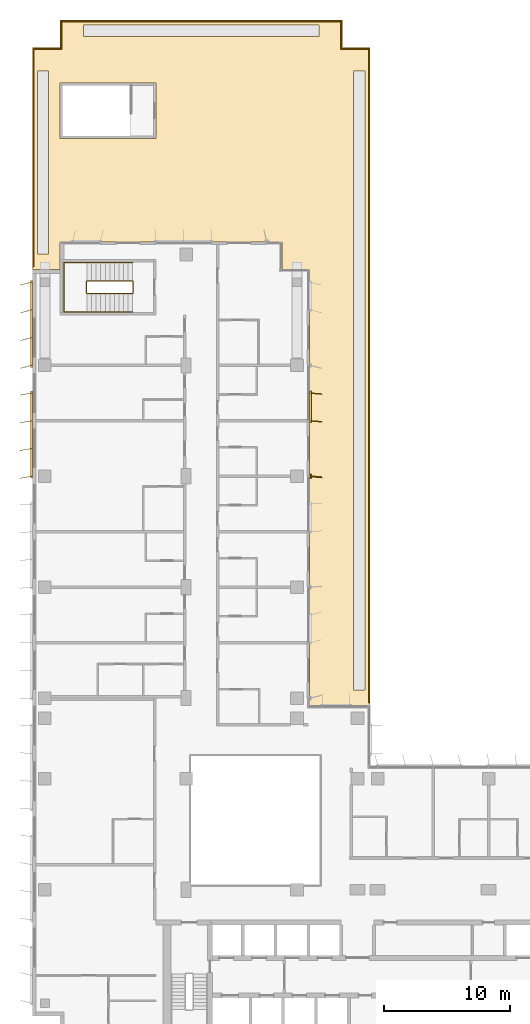
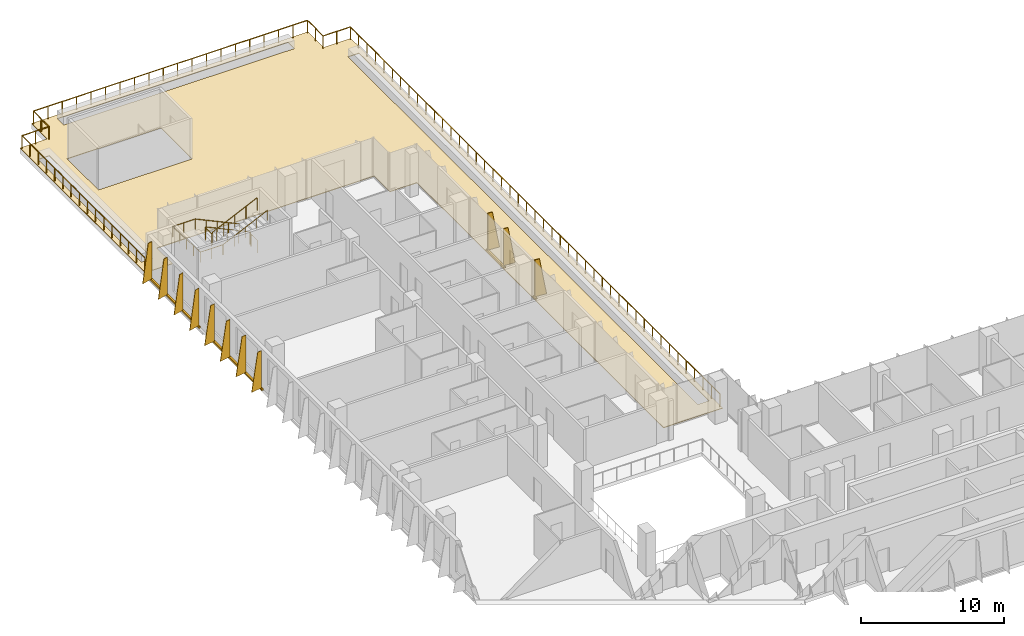
# One storey, part 21 of 22: 4 shading devices, 3 railings, 1 covering.
"""IFC4 building model written with IfcOpenShell, lengths in metres."""

from ifc_helpers import new_model, si_unit, direction, frame, origin, origin_2d, place, context, subcontext, project, spatial, polyline, rectangle, circle, outline, extrude, source, transform, mapped, material, layer, layer_set, type_object, element, save


model = new_model("IFC4")

# Units and contexts
model_context = context("Model", 3, precision=1e-05, world=origin(), true_north=direction((0.0, 1.0)))
body_context = subcontext(model_context, "Body", "Model", "MODEL_VIEW")
ifc_project = project(units=[si_unit("LENGTHUNIT", "METRE"), si_unit("AREAUNIT", "SQUARE_METRE"), si_unit("VOLUMEUNIT", "CUBIC_METRE"), si_unit("PLANEANGLEUNIT", "RADIAN"), si_unit("MASSUNIT", "GRAM", prefix="KILO")], contexts=[model_context])

# Site, building, storey
site_placement = place(None, origin())
site = spatial("IfcSite", under=ifc_project, at=site_placement, CompositionType="ELEMENT")
building_placement = place(site_placement, origin())
building = spatial("IfcBuilding", under=site, at=building_placement, Name="Kemantara Hotel Tower", CompositionType="ELEMENT")
storey_placement = place(building_placement, frame((0.0, 0.0, 153.10009765625)))
storey = spatial("IfcBuildingStorey", under=building, at=storey_placement, Name="L37", CompositionType="ELEMENT", Elevation=153.10009765625)

# Railings
ifc_material_1 = material(Name="Stainless steel balustrade", Category="steel")
railing_type_1 = type_object("IfcRailingType", Name="Stair guard 1100 mm", PredefinedType="GUARDRAIL", material=ifc_material_1)
railing_1_placement = place(storey_placement, frame((7.949951171875, 59.5, 3.699951171875)))
element("IfcRailing", 1, at=railing_1_placement, inside=storey, type_object=railing_type_1, Name="L37 ST4 stair guard 1", PredefinedType="GUARDRAIL", context=body_context, shape_type="SweptSolid", body=[
    extrude(circle(Radius=0.02392578125, at=origin_2d()), frame((0.0, 0.0, 1.076171875), z_axis=(-0.905994681025, 0.0, -0.423289071386), x_axis=(0.0, -1.0, 0.0)), (0.0, 0.0, 1.0), 3.973388671875),
    extrude(circle(Radius=0.02392578125, at=origin_2d()), frame((-3.599853515625, 0.0, -0.60595703125), z_axis=(-0.274243871929, 0.274243871929, -0.92172696468), x_axis=(-0.707106781187, -0.707106781187, 0.0)), (0.0, 0.0, 1.0), 0.1826171875),
    extrude(circle(Radius=0.02392578125, at=origin_2d()), frame((-3.64990234375, 0.050048828125, -0.77392578125), z_axis=(0.0, 1.0, 0.0), x_axis=(-1.0, 0.0, 0.0)), (0.0, 0.0, 1.0), 0.89990234375),
    extrude(circle(Radius=0.02392578125, at=origin_2d()), frame((-3.64990234375, 0.949951171875, -0.77392578125), z_axis=(0.707106781187, 0.707106781187, 0.0), x_axis=(-0.707106781187, 0.707106781187, 0.0)), (0.0, 0.0, 1.0), 0.07080078125),
    extrude(circle(Radius=0.02392578125, at=origin_2d()), frame((-3.599853515625, 1.0, -0.77392578125), z_axis=(0.905994681025, 0.0, -0.423289071386), x_axis=(0.0, 1.0, 0.0)), (0.0, 0.0, 1.0), 3.973388671875),
    extrude(circle(Radius=0.02392578125, at=origin_2d()), frame((0.0, 1.0, -2.4560546875), z_axis=(0.274582412415, -0.274582412415, -0.921525364591), x_axis=(0.707106781187, 0.707106781187, 0.0)), (0.0, 0.0, 1.0), 0.182373046875),
    extrude(circle(Radius=0.02392578125, at=origin_2d()), frame((0.050048828125, 0.949951171875, -2.6240234375), z_axis=(0.0, -1.0, 0.0), x_axis=(1.0, 0.0, 0.0)), (0.0, 0.0, 1.0), 0.89990234375),
    extrude(circle(Radius=0.02099609375, at=origin_2d()), origin(), (0.0, 0.0, 1.0), 1.052001953125),
    extrude(circle(Radius=0.02099609375, at=origin_2d()), frame((-0.89990234375, 0.0, -0.42041015625)), (0.0, 0.0, 1.0), 1.052001953125),
    extrude(circle(Radius=0.02099609375, at=origin_2d()), frame((-1.7998046875, 0.0, -0.8408203125)), (0.0, 0.0, 1.0), 1.052001953125),
    extrude(circle(Radius=0.02099609375, at=origin_2d()), frame((-2.699951171875, 0.0, -1.261474609375)), (0.0, 0.0, 1.0), 1.052001953125),
    extrude(circle(Radius=0.02099609375, at=origin_2d()), frame((-3.599853515625, 0.0, -1.681884765625)), (0.0, 0.0, 1.0), 1.052001953125),
    extrude(circle(Radius=0.02099609375, at=origin_2d()), frame((-3.64990234375, 0.050048828125, -1.85009765625)), (0.0, 0.0, 1.0), 1.052001953125),
    extrude(circle(Radius=0.02099609375, at=origin_2d()), frame((-3.64990234375, 0.949951171875, -1.85009765625)), (0.0, 0.0, 1.0), 1.052001953125),
    extrude(circle(Radius=0.02099609375, at=origin_2d()), frame((-3.599853515625, 1.0, -1.85009765625)), (0.0, 0.0, 1.0), 1.052001953125),
    extrude(circle(Radius=0.02099609375, at=origin_2d()), frame((-2.699951171875, 1.0, -2.2705078125)), (0.0, 0.0, 1.0), 1.052001953125),
    extrude(circle(Radius=0.02099609375, at=origin_2d()), frame((-1.7998046875, 1.0, -2.69091796875)), (0.0, 0.0, 1.0), 1.052001953125),
    extrude(circle(Radius=0.02099609375, at=origin_2d()), frame((-0.89990234375, 1.0, -3.111572265625)), (0.0, 0.0, 1.0), 1.052001953125),
    extrude(circle(Radius=0.02099609375, at=origin_2d()), frame((0.0, 1.0, -3.531982421875)), (0.0, 0.0, 1.0), 1.052001953125),
    extrude(circle(Radius=0.02099609375, at=origin_2d()), frame((0.050048828125, 0.949951171875, -3.699951171875)), (0.0, 0.0, 1.0), 1.052001953125),
    extrude(circle(Radius=0.02099609375, at=origin_2d()), frame((0.050048828125, 0.050048828125, -3.699951171875)), (0.0, 0.0, 1.0), 1.052001953125),
])
railing_type_2 = type_object("IfcRailingType", Name="Stair handrail 900 mm", PredefinedType="HANDRAIL", material=ifc_material_1)
railing_2_placement = place(storey_placement, frame((7.949951171875, 61.949951171875, 0.16796875)))
element("IfcRailing", 2, at=railing_2_placement, inside=storey, type_object=railing_type_2, Name="L37 ST4 stair handrail 1", PredefinedType="HANDRAIL", context=body_context, shape_type="SweptSolid", body=[
    extrude(circle(Radius=0.02392578125, at=origin_2d()), frame((0.0, 0.0, 0.8759765625), z_axis=(-0.905994681025, 0.0, 0.423289071386), x_axis=(0.0, -1.0, 0.0)), (0.0, 0.0, 1.0), 3.973388671875),
    extrude(circle(Radius=0.02392578125, at=origin_2d()), frame((-3.599853515625, 0.0, 2.5576171875), z_axis=(-1.0, 0.0, 0.0), x_axis=(0.0, -1.0, 0.0)), (0.0, 0.0, 1.0), 1.830078125),
    extrude(circle(Radius=0.02392578125, at=origin_2d()), frame((-5.429931640625, 0.0, 2.5576171875), z_axis=(0.0, -0.999071085748, 0.043092523981), x_axis=(1.0, 0.0, 0.0)), (0.0, 0.0, 1.0), 3.903564453125),
    extrude(circle(Radius=0.02392578125, at=origin_2d()), frame((-5.429931640625, -3.89990234375, 2.72607421875), z_axis=(1.0, 0.0, 0.0), x_axis=(0.0, 1.0, 0.0)), (0.0, 0.0, 1.0), 1.830078125),
    extrude(circle(Radius=0.02392578125, at=origin_2d()), frame((-3.599853515625, -3.89990234375, 2.72607421875), z_axis=(0.905994681025, 0.0, 0.423289071386), x_axis=(0.0, 1.0, 0.0)), (0.0, 0.0, 1.0), 3.973388671875),
    extrude(circle(Radius=0.02099609375, at=origin_2d()), origin(), (0.0, 0.0, 1.0), 0.851806640625),
    extrude(circle(Radius=0.02099609375, at=origin_2d()), frame((-0.89990234375, 0.0, 0.42041015625)), (0.0, 0.0, 1.0), 0.851806640625),
    extrude(circle(Radius=0.02099609375, at=origin_2d()), frame((-1.7998046875, 0.0, 0.8408203125)), (0.0, 0.0, 1.0), 0.851806640625),
    extrude(circle(Radius=0.02099609375, at=origin_2d()), frame((-2.699951171875, 0.0, 1.261474609375)), (0.0, 0.0, 1.0), 0.851806640625),
    extrude(circle(Radius=0.02099609375, at=origin_2d()), frame((-3.599853515625, 0.0, 1.681884765625)), (0.0, 0.0, 1.0), 0.851806640625),
    extrude(circle(Radius=0.02099609375, at=origin_2d()), frame((-4.514892578125, 0.0, 1.681884765625)), (0.0, 0.0, 1.0), 0.851806640625),
    extrude(circle(Radius=0.02099609375, at=origin_2d()), frame((-5.429931640625, 0.0, 1.681884765625)), (0.0, 0.0, 1.0), 0.851806640625),
    extrude(circle(Radius=0.02099609375, at=origin_2d()), frame((-5.429931640625, -0.97509765625, 1.723876953125)), (0.0, 0.0, 1.0), 0.851806640625),
    extrude(circle(Radius=0.02099609375, at=origin_2d()), frame((-5.429931640625, -1.949951171875, 1.76611328125)), (0.0, 0.0, 1.0), 0.851806640625),
    extrude(circle(Radius=0.02099609375, at=origin_2d()), frame((-5.429931640625, -2.9248046875, 1.80810546875)), (0.0, 0.0, 1.0), 0.851806640625),
    extrude(circle(Radius=0.02099609375, at=origin_2d()), frame((-5.429931640625, -3.89990234375, 1.85009765625)), (0.0, 0.0, 1.0), 0.851806640625),
    extrude(circle(Radius=0.02099609375, at=origin_2d()), frame((-4.514892578125, -3.89990234375, 1.85009765625)), (0.0, 0.0, 1.0), 0.851806640625),
    extrude(circle(Radius=0.02099609375, at=origin_2d()), frame((-3.599853515625, -3.89990234375, 1.85009765625)), (0.0, 0.0, 1.0), 0.851806640625),
    extrude(circle(Radius=0.02099609375, at=origin_2d()), frame((-2.699951171875, -3.89990234375, 2.2705078125)), (0.0, 0.0, 1.0), 0.851806640625),
    extrude(circle(Radius=0.02099609375, at=origin_2d()), frame((-1.7998046875, -3.89990234375, 2.69091796875)), (0.0, 0.0, 1.0), 0.851806640625),
    extrude(circle(Radius=0.02099609375, at=origin_2d()), frame((-0.89990234375, -3.89990234375, 3.111572265625)), (0.0, 0.0, 1.0), 0.851806640625),
    extrude(circle(Radius=0.02099609375, at=origin_2d()), frame((0.0, -3.89990234375, 3.531982421875)), (0.0, 0.0, 1.0), 0.851806640625),
])
ifc_material_2 = material(Name="Stainless steel 316 (EN 1.4401)", Category="steel")
railing_type_3 = type_object("IfcRailingType", Name="TERRACE GUARD, STAINLESS STEEL 1100", PredefinedType="GUARDRAIL", material=ifc_material_2)
railing_3_placement = place(storey_placement, frame((0.10009765625, 61.64990234375, 0.0)))
element("IfcRailing", 3, at=railing_3_placement, inside=storey, type_object=railing_type_3, Name="TERRACE GUARD TERRACE-S2-1", PredefinedType="GUARDRAIL", context=body_context, shape_type="SweptSolid", body=[
    extrude(circle(Radius=0.02490234375, at=origin_2d()), frame((0.0, 0.0, 1.0751953125), z_axis=(0.0, 1.0, 0.0), x_axis=(-1.0, 0.0, 0.0)), (0.0, 0.0, 1.0), 17.25),
    extrude(circle(Radius=0.02490234375, at=origin_2d()), frame((0.0, 17.25, 1.0751953125), z_axis=(1.0, 0.0, 0.0), x_axis=(0.0, 1.0, 0.0)), (0.0, 0.0, 1.0), 2.199951171875),
    extrude(circle(Radius=0.02490234375, at=origin_2d()), frame((2.199951171875, 17.25, 1.0751953125), z_axis=(0.0, 1.0, 0.0), x_axis=(-1.0, 0.0, 0.0)), (0.0, 0.0, 1.0), 2.2001953125),
    extrude(circle(Radius=0.02490234375, at=origin_2d()), frame((2.199951171875, 19.4501953125, 1.0751953125), z_axis=(1.0, 0.0, 0.0), x_axis=(0.0, 1.0, 0.0)), (0.0, 0.0, 1.0), 22.199951171875),
    extrude(circle(Radius=0.02490234375, at=origin_2d()), frame((24.39990234375, 19.4501953125, 1.0751953125), z_axis=(0.0, -1.0, 0.0), x_axis=(1.0, 0.0, 0.0)), (0.0, 0.0, 1.0), 2.2001953125),
    extrude(circle(Radius=0.02490234375, at=origin_2d()), frame((24.39990234375, 17.25, 1.0751953125), z_axis=(1.0, 0.0, 0.0), x_axis=(0.0, 1.0, 0.0)), (0.0, 0.0, 1.0), 2.199951171875),
    extrude(circle(Radius=0.02490234375, at=origin_2d()), frame((26.599853515625, 17.25, 1.0751953125), z_axis=(0.0, -1.0, 0.0), x_axis=(1.0, 0.0, 0.0)), (0.0, 0.0, 1.0), 51.849853515625),
    extrude(circle(Radius=0.02001953125, at=origin_2d()), origin(), (0.0, 0.0, 1.0), 1.050048828125),
    extrude(circle(Radius=0.02001953125, at=origin_2d()), frame((0.0, 1.14990234375, 0.0)), (0.0, 0.0, 1.0), 1.050048828125),
    extrude(circle(Radius=0.02001953125, at=origin_2d()), frame((0.0, 2.300048828125, 0.0)), (0.0, 0.0, 1.0), 1.050048828125),
    extrude(circle(Radius=0.02001953125, at=origin_2d()), frame((0.0, 3.449951171875, 0.0)), (0.0, 0.0, 1.0), 1.050048828125),
    extrude(circle(Radius=0.02001953125, at=origin_2d()), frame((0.0, 4.60009765625, 0.0)), (0.0, 0.0, 1.0), 1.050048828125),
    extrude(circle(Radius=0.02001953125, at=origin_2d()), frame((0.0, 5.75, 0.0)), (0.0, 0.0, 1.0), 1.050048828125),
    extrude(circle(Radius=0.02001953125, at=origin_2d()), frame((0.0, 6.89990234375, 0.0)), (0.0, 0.0, 1.0), 1.050048828125),
    extrude(circle(Radius=0.02001953125, at=origin_2d()), frame((0.0, 8.050048828125, 0.0)), (0.0, 0.0, 1.0), 1.050048828125),
    extrude(circle(Radius=0.02001953125, at=origin_2d()), frame((0.0, 9.199951171875, 0.0)), (0.0, 0.0, 1.0), 1.050048828125),
    extrude(circle(Radius=0.02001953125, at=origin_2d()), frame((0.0, 10.35009765625, 0.0)), (0.0, 0.0, 1.0), 1.050048828125),
    extrude(circle(Radius=0.02001953125, at=origin_2d()), frame((0.0, 11.5, 0.0)), (0.0, 0.0, 1.0), 1.050048828125),
    extrude(circle(Radius=0.02001953125, at=origin_2d()), frame((0.0, 12.64990234375, 0.0)), (0.0, 0.0, 1.0), 1.050048828125),
    extrude(circle(Radius=0.02001953125, at=origin_2d()), frame((0.0, 13.800048828125, 0.0)), (0.0, 0.0, 1.0), 1.050048828125),
    extrude(circle(Radius=0.02001953125, at=origin_2d()), frame((0.0, 14.949951171875, 0.0)), (0.0, 0.0, 1.0), 1.050048828125),
    extrude(circle(Radius=0.02001953125, at=origin_2d()), frame((0.0, 16.10009765625, 0.0)), (0.0, 0.0, 1.0), 1.050048828125),
    extrude(circle(Radius=0.02001953125, at=origin_2d()), frame((0.0, 17.25, 0.0)), (0.0, 0.0, 1.0), 1.050048828125),
    extrude(circle(Radius=0.02001953125, at=origin_2d()), frame((1.10009765625, 17.25, 0.0)), (0.0, 0.0, 1.0), 1.050048828125),
    extrude(circle(Radius=0.02001953125, at=origin_2d()), frame((2.199951171875, 17.25, 0.0)), (0.0, 0.0, 1.0), 1.050048828125),
    extrude(circle(Radius=0.02001953125, at=origin_2d()), frame((2.199951171875, 18.35009765625, 0.0)), (0.0, 0.0, 1.0), 1.050048828125),
    extrude(circle(Radius=0.02001953125, at=origin_2d()), frame((2.199951171875, 19.4501953125, 0.0)), (0.0, 0.0, 1.0), 1.050048828125),
    extrude(circle(Radius=0.02001953125, at=origin_2d()), frame((3.368408203125, 19.4501953125, 0.0)), (0.0, 0.0, 1.0), 1.050048828125),
    extrude(circle(Radius=0.02001953125, at=origin_2d()), frame((4.536865234375, 19.4501953125, 0.0)), (0.0, 0.0, 1.0), 1.050048828125),
    extrude(circle(Radius=0.02001953125, at=origin_2d()), frame((5.705322265625, 19.4501953125, 0.0)), (0.0, 0.0, 1.0), 1.050048828125),
    extrude(circle(Radius=0.02001953125, at=origin_2d()), frame((6.87353515625, 19.4501953125, 0.0)), (0.0, 0.0, 1.0), 1.050048828125),
    extrude(circle(Radius=0.02001953125, at=origin_2d()), frame((8.0419921875, 19.4501953125, 0.0)), (0.0, 0.0, 1.0), 1.050048828125),
    extrude(circle(Radius=0.02001953125, at=origin_2d()), frame((9.21044921875, 19.4501953125, 0.0)), (0.0, 0.0, 1.0), 1.050048828125),
    extrude(circle(Radius=0.02001953125, at=origin_2d()), frame((10.37890625, 19.4501953125, 0.0)), (0.0, 0.0, 1.0), 1.050048828125),
    extrude(circle(Radius=0.02001953125, at=origin_2d()), frame((11.54736328125, 19.4501953125, 0.0)), (0.0, 0.0, 1.0), 1.050048828125),
    extrude(circle(Radius=0.02001953125, at=origin_2d()), frame((12.7158203125, 19.4501953125, 0.0)), (0.0, 0.0, 1.0), 1.050048828125),
    extrude(circle(Radius=0.02001953125, at=origin_2d()), frame((13.884033203125, 19.4501953125, 0.0)), (0.0, 0.0, 1.0), 1.050048828125),
    extrude(circle(Radius=0.02001953125, at=origin_2d()), frame((15.052490234375, 19.4501953125, 0.0)), (0.0, 0.0, 1.0), 1.050048828125),
    extrude(circle(Radius=0.02001953125, at=origin_2d()), frame((16.220947265625, 19.4501953125, 0.0)), (0.0, 0.0, 1.0), 1.050048828125),
    extrude(circle(Radius=0.02001953125, at=origin_2d()), frame((17.389404296875, 19.4501953125, 0.0)), (0.0, 0.0, 1.0), 1.050048828125),
    extrude(circle(Radius=0.02001953125, at=origin_2d()), frame((18.557861328125, 19.4501953125, 0.0)), (0.0, 0.0, 1.0), 1.050048828125),
    extrude(circle(Radius=0.02001953125, at=origin_2d()), frame((19.726318359375, 19.4501953125, 0.0)), (0.0, 0.0, 1.0), 1.050048828125),
    extrude(circle(Radius=0.02001953125, at=origin_2d()), frame((20.89453125, 19.4501953125, 0.0)), (0.0, 0.0, 1.0), 1.050048828125),
    extrude(circle(Radius=0.02001953125, at=origin_2d()), frame((22.06298828125, 19.4501953125, 0.0)), (0.0, 0.0, 1.0), 1.050048828125),
    extrude(circle(Radius=0.02001953125, at=origin_2d()), frame((23.2314453125, 19.4501953125, 0.0)), (0.0, 0.0, 1.0), 1.050048828125),
    extrude(circle(Radius=0.02001953125, at=origin_2d()), frame((24.39990234375, 19.4501953125, 0.0)), (0.0, 0.0, 1.0), 1.050048828125),
    extrude(circle(Radius=0.02001953125, at=origin_2d()), frame((24.39990234375, 18.35009765625, 0.0)), (0.0, 0.0, 1.0), 1.050048828125),
    extrude(circle(Radius=0.02001953125, at=origin_2d()), frame((24.39990234375, 17.25, 0.0)), (0.0, 0.0, 1.0), 1.050048828125),
    extrude(circle(Radius=0.02001953125, at=origin_2d()), frame((25.5, 17.25, 0.0)), (0.0, 0.0, 1.0), 1.050048828125),
    extrude(circle(Radius=0.02001953125, at=origin_2d()), frame((26.599853515625, 17.25, 0.0)), (0.0, 0.0, 1.0), 1.050048828125),
    extrude(circle(Radius=0.02001953125, at=origin_2d()), frame((26.599853515625, 16.071533203125, 0.0)), (0.0, 0.0, 1.0), 1.050048828125),
    extrude(circle(Radius=0.02001953125, at=origin_2d()), frame((26.599853515625, 14.89306640625, 0.0)), (0.0, 0.0, 1.0), 1.050048828125),
    extrude(circle(Radius=0.02001953125, at=origin_2d()), frame((26.599853515625, 13.71484375, 0.0)), (0.0, 0.0, 1.0), 1.050048828125),
    extrude(circle(Radius=0.02001953125, at=origin_2d()), frame((26.599853515625, 12.536376953125, 0.0)), (0.0, 0.0, 1.0), 1.050048828125),
    extrude(circle(Radius=0.02001953125, at=origin_2d()), frame((26.599853515625, 11.35791015625, 0.0)), (0.0, 0.0, 1.0), 1.050048828125),
    extrude(circle(Radius=0.02001953125, at=origin_2d()), frame((26.599853515625, 10.1796875, 0.0)), (0.0, 0.0, 1.0), 1.050048828125),
    extrude(circle(Radius=0.02001953125, at=origin_2d()), frame((26.599853515625, 9.001220703125, 0.0)), (0.0, 0.0, 1.0), 1.050048828125),
    extrude(circle(Radius=0.02001953125, at=origin_2d()), frame((26.599853515625, 7.82275390625, 0.0)), (0.0, 0.0, 1.0), 1.050048828125),
    extrude(circle(Radius=0.02001953125, at=origin_2d()), frame((26.599853515625, 6.644287109375, 0.0)), (0.0, 0.0, 1.0), 1.050048828125),
    extrude(circle(Radius=0.02001953125, at=origin_2d()), frame((26.599853515625, 5.4658203125, 0.0)), (0.0, 0.0, 1.0), 1.050048828125),
    extrude(circle(Radius=0.02001953125, at=origin_2d()), frame((26.599853515625, 4.28759765625, 0.0)), (0.0, 0.0, 1.0), 1.050048828125),
    extrude(circle(Radius=0.02001953125, at=origin_2d()), frame((26.599853515625, 3.109130859375, 0.0)), (0.0, 0.0, 1.0), 1.050048828125),
    extrude(circle(Radius=0.02001953125, at=origin_2d()), frame((26.599853515625, 1.9306640625, 0.0)), (0.0, 0.0, 1.0), 1.050048828125),
    extrude(circle(Radius=0.02001953125, at=origin_2d()), frame((26.599853515625, 0.75244140625, 0.0)), (0.0, 0.0, 1.0), 1.050048828125),
    extrude(circle(Radius=0.02001953125, at=origin_2d()), frame((26.599853515625, -0.426025390625, 0.0)), (0.0, 0.0, 1.0), 1.050048828125),
    extrude(circle(Radius=0.02001953125, at=origin_2d()), frame((26.599853515625, -1.6044921875, 0.0)), (0.0, 0.0, 1.0), 1.050048828125),
    extrude(circle(Radius=0.02001953125, at=origin_2d()), frame((26.599853515625, -2.782958984375, 0.0)), (0.0, 0.0, 1.0), 1.050048828125),
    extrude(circle(Radius=0.02001953125, at=origin_2d()), frame((26.599853515625, -3.96142578125, 0.0)), (0.0, 0.0, 1.0), 1.050048828125),
    extrude(circle(Radius=0.02001953125, at=origin_2d()), frame((26.599853515625, -5.1396484375, 0.0)), (0.0, 0.0, 1.0), 1.050048828125),
    extrude(circle(Radius=0.02001953125, at=origin_2d()), frame((26.599853515625, -6.318115234375, 0.0)), (0.0, 0.0, 1.0), 1.050048828125),
    extrude(circle(Radius=0.02001953125, at=origin_2d()), frame((26.599853515625, -7.49658203125, 0.0)), (0.0, 0.0, 1.0), 1.050048828125),
    extrude(circle(Radius=0.02001953125, at=origin_2d()), frame((26.599853515625, -8.6748046875, 0.0)), (0.0, 0.0, 1.0), 1.050048828125),
    extrude(circle(Radius=0.02001953125, at=origin_2d()), frame((26.599853515625, -9.853271484375, 0.0)), (0.0, 0.0, 1.0), 1.050048828125),
    extrude(circle(Radius=0.02001953125, at=origin_2d()), frame((26.599853515625, -11.03173828125, 0.0)), (0.0, 0.0, 1.0), 1.050048828125),
    extrude(circle(Radius=0.02001953125, at=origin_2d()), frame((26.599853515625, -12.210205078125, 0.0)), (0.0, 0.0, 1.0), 1.050048828125),
    extrude(circle(Radius=0.02001953125, at=origin_2d()), frame((26.599853515625, -13.388671875, 0.0)), (0.0, 0.0, 1.0), 1.050048828125),
    extrude(circle(Radius=0.02001953125, at=origin_2d()), frame((26.599853515625, -14.56689453125, 0.0)), (0.0, 0.0, 1.0), 1.050048828125),
    extrude(circle(Radius=0.02001953125, at=origin_2d()), frame((26.599853515625, -15.745361328125, 0.0)), (0.0, 0.0, 1.0), 1.050048828125),
    extrude(circle(Radius=0.02001953125, at=origin_2d()), frame((26.599853515625, -16.923828125, 0.0)), (0.0, 0.0, 1.0), 1.050048828125),
    extrude(circle(Radius=0.02001953125, at=origin_2d()), frame((26.599853515625, -18.10205078125, 0.0)), (0.0, 0.0, 1.0), 1.050048828125),
    extrude(circle(Radius=0.02001953125, at=origin_2d()), frame((26.599853515625, -19.280517578125, 0.0)), (0.0, 0.0, 1.0), 1.050048828125),
    extrude(circle(Radius=0.02001953125, at=origin_2d()), frame((26.599853515625, -20.458984375, 0.0)), (0.0, 0.0, 1.0), 1.050048828125),
    extrude(circle(Radius=0.02001953125, at=origin_2d()), frame((26.599853515625, -21.637451171875, 0.0)), (0.0, 0.0, 1.0), 1.050048828125),
    extrude(circle(Radius=0.02001953125, at=origin_2d()), frame((26.599853515625, -22.81591796875, 0.0)), (0.0, 0.0, 1.0), 1.050048828125),
    extrude(circle(Radius=0.02001953125, at=origin_2d()), frame((26.599853515625, -23.994140625, 0.0)), (0.0, 0.0, 1.0), 1.050048828125),
    extrude(circle(Radius=0.02001953125, at=origin_2d()), frame((26.599853515625, -25.172607421875, 0.0)), (0.0, 0.0, 1.0), 1.050048828125),
    extrude(circle(Radius=0.02001953125, at=origin_2d()), frame((26.599853515625, -26.35107421875, 0.0)), (0.0, 0.0, 1.0), 1.050048828125),
    extrude(circle(Radius=0.02001953125, at=origin_2d()), frame((26.599853515625, -27.529296875, 0.0)), (0.0, 0.0, 1.0), 1.050048828125),
    extrude(circle(Radius=0.02001953125, at=origin_2d()), frame((26.599853515625, -28.707763671875, 0.0)), (0.0, 0.0, 1.0), 1.050048828125),
    extrude(circle(Radius=0.02001953125, at=origin_2d()), frame((26.599853515625, -29.88623046875, 0.0)), (0.0, 0.0, 1.0), 1.050048828125),
    extrude(circle(Radius=0.02001953125, at=origin_2d()), frame((26.599853515625, -31.064697265625, 0.0)), (0.0, 0.0, 1.0), 1.050048828125),
    extrude(circle(Radius=0.02001953125, at=origin_2d()), frame((26.599853515625, -32.2431640625, 0.0)), (0.0, 0.0, 1.0), 1.050048828125),
    extrude(circle(Radius=0.02001953125, at=origin_2d()), frame((26.599853515625, -33.42138671875, 0.0)), (0.0, 0.0, 1.0), 1.050048828125),
    extrude(circle(Radius=0.02001953125, at=origin_2d()), frame((26.599853515625, -34.599853515625, 0.0)), (0.0, 0.0, 1.0), 1.050048828125),
])

# Covering
ifc_material_3 = material(Name="Bituminous roofing membrane under porcelain paving")
ifc_layer_1 = layer(ifc_material_3, 0.050048828125)
ifc_layer_set_1 = layer_set([ifc_layer_1], Name="Bituminous roofing membrane under porcelain paving")
covering_type = type_object("IfcCoveringType", Name="TERRACE ROOFING AND PAVING 50", PredefinedType="ROOFING", material=ifc_layer_set_1)
covering_placement = place(storey_placement, frame((0.0, 0.0, -0.050048828125)))
element("IfcCovering", 4, at=covering_placement, inside=storey, type_object=covering_type, Name="ROOFING AND PAVING TERRACE-S2", PredefinedType="ROOFING", context=body_context, shape_type="SweptSolid", body=[
    extrude(outline(polyline([(24.60009765625, 81.199951171875), (24.60009765625, 79.0), (26.800048828125, 79.0), (26.800048828125, 26.800048828125), (22.0, 26.800048828125), (22.0, 61.39990234375), (19.800048828125, 61.39990234375), (19.800048828125, 63.60009765625), (2.199951171875, 63.60009765625), (2.199951171875, 61.39990234375), (0.0, 61.39990234375), (0.0, 79.0), (2.199951171875, 79.0), (2.199951171875, 81.199951171875), (24.60009765625, 81.199951171875)]), holes=[polyline([(2.199951171875, 71.800048828125), (9.800048828125, 71.800048828125), (9.800048828125, 76.199951171875), (2.199951171875, 76.199951171875), (2.199951171875, 71.800048828125)]), polyline([(1.300048828125, 77.14990234375), (0.39990234375, 77.14990234375), (0.39990234375, 62.64990234375), (1.300048828125, 62.64990234375), (1.300048828125, 77.14990234375)]), polyline([(4.050048828125, 79.89990234375), (22.75, 79.89990234375), (22.75, 80.800048828125), (4.050048828125, 80.800048828125), (4.050048828125, 79.89990234375)]), polyline([(26.39990234375, 77.14990234375), (25.5, 77.14990234375), (25.5, 28.050048828125), (26.39990234375, 28.050048828125), (26.39990234375, 77.14990234375)])]), origin(), (0.0, 0.0, 1.0), 0.050048828125),
])

# Shading devices
ifc_material_4 = material(Name="Perforated aluminium plate 4 mm bronze anodised", Category="aluminium")
ifc_layer_2 = layer(ifc_material_4, 0.0400390625)
ifc_layer_set_2 = layer_set([ifc_layer_2], Name="Perforated aluminium plate 4 mm bronze anodised")
shading_device_type_1 = type_object("IfcShadingDeviceType", Name="SCREEN FIN CASSETTE, 4 BLADES AT +10.0 DEG, 3200 HIGH", PredefinedType="USERDEFINED", material=ifc_layer_set_2)
shared_shape_1 = source(origin(), body_context, "Body", "SweptSolid", [
    extrude(rectangle(XDim=6.89990234375, YDim=0.14990234375, at=origin_2d()), frame((3.300048828125, -0.074951171875, -0.14990234375), z_axis=(0.0, 0.0, 1.0), x_axis=(1.0, 0.0, 0.0)), (0.0, 0.0, 1.0), 0.14990234375),
    extrude(outline(polyline([(0.0, 0.0), (0.89990234375, 0.0), (0.35009765625, 3.199951171875), (0.0, 3.199951171875), (0.0, 0.0)])), frame((0.019775390625, -0.071533203125, 0.0), z_axis=(-0.985389793052, -0.170314285219, 0.0), x_axis=(0.170314285219, -0.985389793052, 0.0)), (0.0, 0.0, 1.0), 0.0400390625),
    extrude(outline(polyline([(0.0, 0.0), (0.89990234375, 0.0), (0.35009765625, 3.199951171875), (0.0, 3.199951171875), (0.0, 0.0)])), frame((2.2197265625, -0.071533203125, 0.0), z_axis=(-0.98521175482, -0.171341174751, 0.0), x_axis=(0.171341174751, -0.98521175482, 0.0)), (0.0, 0.0, 1.0), 0.039794921875),
    extrude(outline(polyline([(0.0, 0.0), (0.89990234375, 0.0), (0.35009765625, 3.199951171875), (0.0, 3.199951171875), (0.0, 0.0)])), frame((4.419677734375, -0.071533203125, 0.0), z_axis=(-0.98521175482, -0.171341174751, 0.0), x_axis=(0.171341174751, -0.98521175482, 0.0)), (0.0, 0.0, 1.0), 0.039794921875),
    extrude(outline(polyline([(0.0, 0.0), (0.89990234375, 0.0), (0.35009765625, 3.199951171875), (0.0, 3.199951171875), (0.0, 0.0)])), frame((6.61962890625, -0.071533203125, 0.0), z_axis=(-0.98521175482, -0.171341174751, 0.0), x_axis=(0.171341174751, -0.98521175482, 0.0)), (0.0, 0.0, 1.0), 0.039794921875),
])
shading_device_1_placement = place(storey_placement, frame((0.0, 51.60009765625, 0.099853515625), z_axis=(0.0, 0.0, 1.0), x_axis=(0.0, -1.0, 0.0)))
element("IfcShadingDevice", 5, at=shading_device_1_placement, inside=storey, type_object=shading_device_type_1, Name="SCREEN FIN CASSETTE L37 T3-R05-2", ObjectType="SCREEN FIN", PredefinedType="USERDEFINED", context=body_context, shape_type="MappedRepresentation", body=[
    mapped(shared_shape_1, transform((0.0, 0.0, 0.0))),
])
ifc_layer_3 = layer(ifc_material_4, 0.0400390625)
ifc_layer_set_3 = layer_set([ifc_layer_3], Name="Perforated aluminium plate 4 mm bronze anodised")
shading_device_type_2 = type_object("IfcShadingDeviceType", Name="SCREEN FIN CASSETTE, 4 BLADES AT +15.0 DEG, 3200 HIGH", PredefinedType="USERDEFINED", material=ifc_layer_set_3)
shared_shape_2 = source(origin(), body_context, "Body", "SweptSolid", [
    extrude(rectangle(XDim=6.89990234375, YDim=0.14990234375, at=origin_2d()), frame((3.300048828125, -0.074951171875, -0.14990234375), z_axis=(0.0, 0.0, 1.0), x_axis=(1.0, 0.0, 0.0)), (0.0, 0.0, 1.0), 0.14990234375),
    extrude(outline(polyline([(0.0, 0.0), (0.89990234375, 0.0), (0.35009765625, 3.199951171875), (0.0, 3.199951171875), (0.0, 0.0)])), frame((0.019287109375, -0.06982421875, 0.0), z_axis=(-0.966437683387, -0.256901156343, 0.0), x_axis=(0.256901156343, -0.966437683387, 0.0)), (0.0, 0.0, 1.0), 0.039794921875),
    extrude(outline(polyline([(0.0, 0.0), (0.89990234375, 0.0), (0.35009765625, 3.199951171875), (0.0, 3.199951171875), (0.0, 0.0)])), frame((2.21923828125, -0.06982421875, 0.0), z_axis=(-0.966437683387, -0.256901156343, 0.0), x_axis=(0.256901156343, -0.966437683387, 0.0)), (0.0, 0.0, 1.0), 0.039794921875),
    extrude(outline(polyline([(0.0, 0.0), (0.89990234375, 0.0), (0.35009765625, 3.199951171875), (0.0, 3.199951171875), (0.0, 0.0)])), frame((4.41943359375, -0.06982421875, 0.0), z_axis=(-0.966837822169, -0.255391122837, 0.0), x_axis=(0.255391122837, -0.966837822169, 0.0)), (0.0, 0.0, 1.0), 0.0400390625),
    extrude(outline(polyline([(0.0, 0.0), (0.89990234375, 0.0), (0.35009765625, 3.199951171875), (0.0, 3.199951171875), (0.0, 0.0)])), frame((6.619384765625, -0.06982421875, 0.0), z_axis=(-0.966837822169, -0.255391122837, 0.0), x_axis=(0.255391122837, -0.966837822169, 0.0)), (0.0, 0.0, 1.0), 0.0400390625),
])
shading_device_2_placement = place(storey_placement, frame((0.0, 60.39990234375, 0.099853515625), z_axis=(0.0, 0.0, 1.0), x_axis=(0.0, -1.0, 0.0)))
element("IfcShadingDevice", 6, at=shading_device_2_placement, inside=storey, type_object=shading_device_type_2, Name="SCREEN FIN CASSETTE L37 T3-R05-1", ObjectType="SCREEN FIN", PredefinedType="USERDEFINED", context=body_context, shape_type="MappedRepresentation", body=[
    mapped(shared_shape_2, transform((0.0, 0.0, 0.0))),
])
ifc_layer_4 = layer(ifc_material_4, 0.0400390625)
ifc_layer_set_4 = layer_set([ifc_layer_4], Name="Perforated aluminium plate 4 mm bronze anodised")
shading_device_type_3 = type_object("IfcShadingDeviceType", Name="SCREEN FIN CASSETTE, 1 BLADE AT -5.0 DEG, 3150 HIGH", PredefinedType="USERDEFINED", material=ifc_layer_set_4)
shared_shape_3 = source(origin(), body_context, "Body", "SweptSolid", [
    extrude(rectangle(XDim=0.300048828125, YDim=0.14990234375, at=origin_2d()), frame((0.0, -0.074951171875, -0.14990234375), z_axis=(0.0, 0.0, 1.0), x_axis=(1.0, 0.0, 0.0)), (0.0, 0.0, 1.0), 0.14990234375),
    extrude(outline(polyline([(0.0, 0.0), (0.89990234375, 0.0), (0.35009765625, 3.14990234375), (0.0, 3.14990234375), (0.0, 0.0)])), frame((0.02001953125, -0.07666015625, 0.0), z_axis=(-0.996376129781, 0.085056498884, 0.0), x_axis=(-0.085056498884, -0.996376129781, 0.0)), (0.0, 0.0, 1.0), 0.040283203125),
])
shading_device_3_placement = place(storey_placement, frame((22.0, 45.0, 0.14990234375), z_axis=(0.0, 0.0, 1.0), x_axis=(0.0, 1.0, 0.0)))
element("IfcShadingDevice", 7, at=shading_device_3_placement, inside=storey, type_object=shading_device_type_3, Name="SCREEN FIN CASSETTE L37 T3-R17-5", ObjectType="SCREEN FIN", PredefinedType="USERDEFINED", context=body_context, shape_type="MappedRepresentation", body=[
    mapped(shared_shape_3, transform((0.0, 0.0, 0.0))),
])
ifc_layer_5 = layer(ifc_material_4, 0.0400390625)
ifc_layer_set_5 = layer_set([ifc_layer_5], Name="Perforated aluminium plate 4 mm bronze anodised")
shading_device_type_4 = type_object("IfcShadingDeviceType", Name="SCREEN FIN CASSETTE, 2 BLADES AT -5.0 DEG, 3150 HIGH", PredefinedType="USERDEFINED", material=ifc_layer_set_5)
shared_shape_4 = source(origin(), body_context, "Body", "SweptSolid", [
    extrude(rectangle(XDim=2.5, YDim=0.14990234375, at=origin_2d()), frame((1.10009765625, -0.074951171875, -0.14990234375), z_axis=(0.0, 0.0, 1.0), x_axis=(1.0, 0.0, 0.0)), (0.0, 0.0, 1.0), 0.14990234375),
    extrude(outline(polyline([(0.0, 0.0), (0.89990234375, 0.0), (0.35009765625, 3.14990234375), (0.0, 3.14990234375), (0.0, 0.0)])), frame((0.02001953125, -0.07666015625, 0.0), z_axis=(-0.996376129781, 0.085056498884, 0.0), x_axis=(-0.085056498884, -0.996376129781, 0.0)), (0.0, 0.0, 1.0), 0.040283203125),
    extrude(outline(polyline([(0.0, 0.0), (0.89990234375, 0.0), (0.35009765625, 3.14990234375), (0.0, 3.14990234375), (0.0, 0.0)])), frame((2.219970703125, -0.07666015625, 0.0), z_axis=(-0.996331773833, 0.085574508182, 0.0), x_axis=(-0.085574508182, -0.996331773833, 0.0)), (0.0, 0.0, 1.0), 0.0400390625),
])
shading_device_4_placement = place(storey_placement, frame((22.0, 49.39990234375, 0.14990234375), z_axis=(0.0, 0.0, 1.0), x_axis=(0.0, 1.0, 0.0)))
element("IfcShadingDevice", 8, at=shading_device_4_placement, inside=storey, type_object=shading_device_type_4, Name="SCREEN FIN CASSETTE L37 T3-R17-6", ObjectType="SCREEN FIN", PredefinedType="USERDEFINED", context=body_context, shape_type="MappedRepresentation", body=[
    mapped(shared_shape_4, transform((0.0, 0.0, 0.0))),
])

save(model, "model.ifc")
